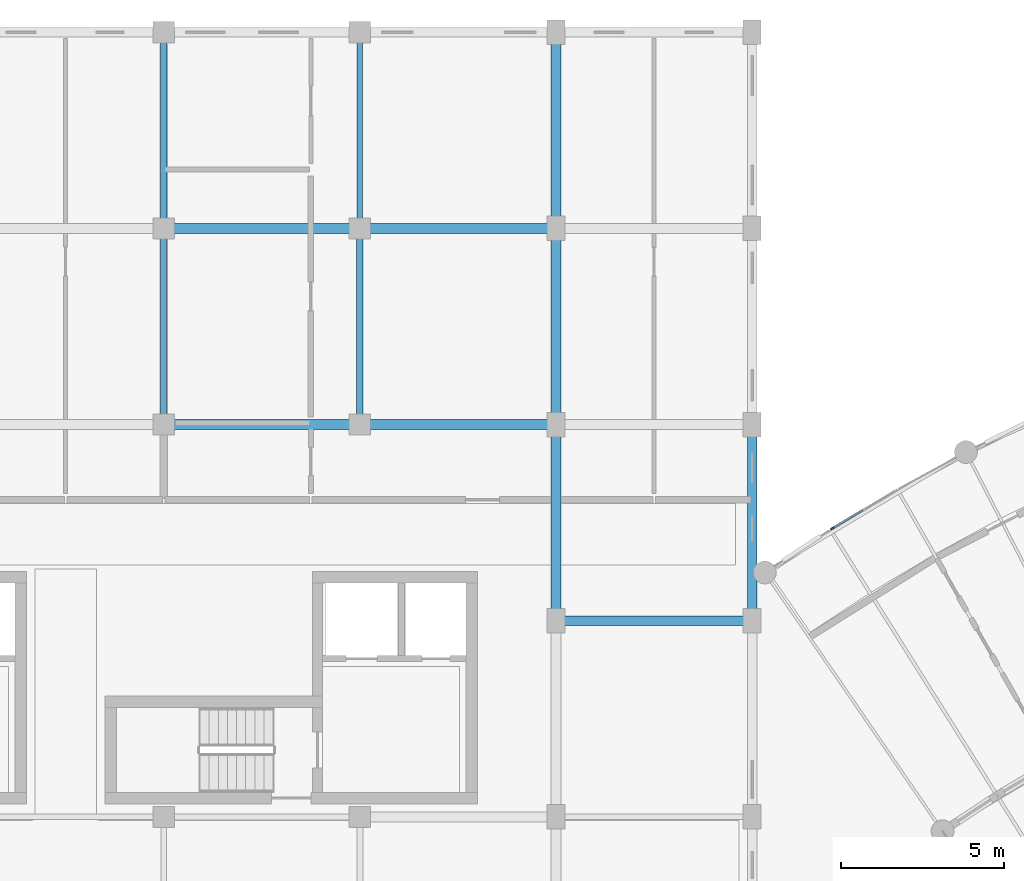
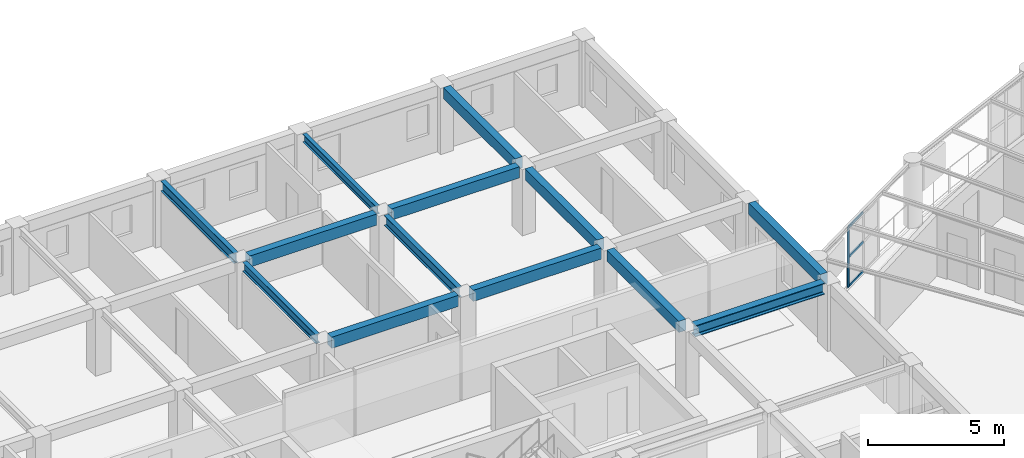
# One storey, part 30 of 100: 13 beams, 4 members, 1 element without a shape of its own.
"""IFC4 building model written with IfcOpenShell, lengths in metres."""

from ifc_helpers import new_model, si_unit, direction, frame, origin, origin_2d, place, context, subcontext, project, spatial, rectangle, i_section, extrude, material, layer, layer_set, material_profile, profile_set, type_object, element, aggregate, save


model = new_model("IFC4")

# Units and contexts
model_context = context("Model", 3, precision=1e-05, world=origin(), true_north=direction((0.0, 1.0)))
body_context = subcontext(model_context, "Body", "Model", "MODEL_VIEW")
ifc_project = project(units=[si_unit("LENGTHUNIT", "METRE"), si_unit("AREAUNIT", "SQUARE_METRE"), si_unit("VOLUMEUNIT", "CUBIC_METRE"), si_unit("PLANEANGLEUNIT", "RADIAN"), si_unit("MASSUNIT", "GRAM", prefix="KILO"), si_unit("POWERUNIT", "WATT"), si_unit("THERMODYNAMICTEMPERATUREUNIT", "KELVIN")], contexts=[model_context])

# Site, building, storey
site_placement = place(None, origin())
site = spatial("IfcSite", under=ifc_project, at=site_placement, CompositionType="ELEMENT")
building_placement = place(site_placement, origin())
building = spatial("IfcBuilding", under=site, at=building_placement, Name="Ruvembo Vaulted Housing Court", CompositionType="ELEMENT")
storey_placement = place(building_placement, frame((0.0, 0.0, 10.89990234375)))
storey = spatial("IfcBuildingStorey", under=building, at=storey_placement, Name="L03", CompositionType="ELEMENT", Elevation=10.89990234375)

# Beams
ifc_material_1 = material(Name="Steel S355J2", Category="steel")
ifc_material_profile_1 = material_profile(ifc_material_1, i_section(OverallWidth=0.300048828125, OverallDepth=0.5, WebThickness=0.014404296875, FlangeThickness=0.028076171875, FilletRadius=0.027099609375, at=origin_2d()), Name="HEB 320")
ifc_profile_set_1 = profile_set([ifc_material_profile_1], Name="Steel S355J2")
beam_type_1 = type_object("IfcBeamType", Name="BM-ST-HEB320", PredefinedType="BEAM", material=ifc_profile_set_1)
beam_1_placement = place(storey_placement, frame((78.260009765625, 96.0, 2.676025390625), z_axis=(1.0, 0.0, 0.0), x_axis=(0.0, 1.0, 0.0)))
element("IfcBeam", 1, at=beam_1_placement, inside=storey, type_object=beam_type_1, Name="L03 Grid Beam X #1820", PredefinedType="BEAM", context=body_context, shape_type="SweptSolid", body=[
    extrude(i_section(OverallWidth=0.300048828125, OverallDepth=0.5, WebThickness=0.014404296875, FlangeThickness=0.028076171875, FilletRadius=0.027099609375, at=origin_2d()), origin(), (0.0, 0.0, 1.0), 5.47998046875),
])
ifc_material_profile_2 = material_profile(ifc_material_1, i_section(OverallWidth=0.169921875, OverallDepth=0.360107421875, WebThickness=0.008056640625, FlangeThickness=0.0126953125, FilletRadius=0.01806640625, at=origin_2d()), Name="IPE 360")
ifc_profile_set_2 = profile_set([ifc_material_profile_2], Name="Steel S355J2")
beam_type_2 = type_object("IfcBeamType", Name="BM-ST-IPE360", PredefinedType="BEAM", material=ifc_profile_set_2)
beam_2_placement = place(storey_placement, frame((72.0, 108.31005859375, 2.74609375), z_axis=(0.0, 1.0, 0.0), x_axis=(-1.0, 0.0, 0.0)))
element("IfcBeam", 2, at=beam_2_placement, inside=storey, type_object=beam_type_2, Name="L03 Grid Beam Y #1914", PredefinedType="BEAM", context=body_context, shape_type="SweptSolid", body=[
    extrude(i_section(OverallWidth=0.169921875, OverallDepth=0.360107421875, WebThickness=0.008056640625, FlangeThickness=0.0126953125, FilletRadius=0.01806640625, at=origin_2d()), origin(), (0.0, 0.0, 1.0), 5.3798828125),
])
ifc_material_profile_3 = material_profile(ifc_material_1, i_section(OverallWidth=0.179931640625, OverallDepth=0.39990234375, WebThickness=0.008544921875, FlangeThickness=0.013427734375, FilletRadius=0.02099609375, at=origin_2d()), Name="IPE 400")
ifc_profile_set_3 = profile_set([ifc_material_profile_3], Name="Steel S355J2")
beam_type_3 = type_object("IfcBeamType", Name="BM-ST-IPE400", PredefinedType="BEAM", material=ifc_profile_set_3)
beam_3_placement = place(storey_placement, frame((66.0, 102.31005859375, 2.72607421875), z_axis=(0.0, 1.0, 0.0), x_axis=(-1.0, 0.0, 0.0)))
element("IfcBeam", 3, at=beam_3_placement, inside=storey, type_object=beam_type_3, Name="L03 Grid Beam Y #1909", PredefinedType="BEAM", context=body_context, shape_type="SweptSolid", body=[
    extrude(i_section(OverallWidth=0.179931640625, OverallDepth=0.39990234375, WebThickness=0.008544921875, FlangeThickness=0.013427734375, FilletRadius=0.02099609375, at=origin_2d()), origin(), (0.0, 0.0, 1.0), 5.3798828125),
])
ifc_material_profile_4 = material_profile(ifc_material_1, i_section(OverallWidth=0.18994140625, OverallDepth=0.449951171875, WebThickness=0.009521484375, FlangeThickness=0.0146484375, FilletRadius=0.02099609375, at=origin_2d()), Name="IPE 450")
ifc_profile_set_4 = profile_set([ifc_material_profile_4], Name="Steel S355J2")
beam_type_4 = type_object("IfcBeamType", Name="BM-ST-IPE450", PredefinedType="BEAM", material=ifc_profile_set_4)
for number, where, z_axis, x_axis, name in (
    (4, (66.0, 108.31005859375, 2.701171875), (0.0, 1.0, 0.0), (-1.0, 0.0, 0.0), "L03 Grid Beam Y #1910"),
    (5, (72.0, 102.31005859375, 2.701171875), (0.0, 1.0, 0.0), (-1.0, 0.0, 0.0), "L03 Grid Beam Y #1913"),
):
    element("IfcBeam", number, at=place(storey_placement, frame(where, z_axis=z_axis, x_axis=x_axis)), inside=storey, type_object=beam_type_4, Name=name, PredefinedType="BEAM", context=body_context, shape_type="SweptSolid", body=[
        extrude(i_section(OverallWidth=0.18994140625, OverallDepth=0.449951171875, WebThickness=0.009521484375, FlangeThickness=0.0146484375, FilletRadius=0.02099609375, at=origin_2d()), origin(), (0.0, 0.0, 1.0), 5.3798828125),
    ])

# Curtain wall, members
ifc_material_2 = material(Name="Anodised Aluminium and Solar-Control Glass", Category="aluminium")
ifc_layer = layer(ifc_material_2, 0.1201171875, Name="Anodised Aluminium and Solar-Control Glass")
ifc_layer_set = layer_set([ifc_layer], Name="Anodised Aluminium and Solar-Control Glass")
curtain_wall_type = type_object("IfcCurtainWallType", Name="CW-SCOOP-GAL", PredefinedType="NOTDEFINED", material=ifc_layer_set)
curtain_wall_placement = place(storey_placement, origin())
curtain_wall = element("IfcCurtainWall", 6, at=curtain_wall_placement, inside=storey, type_object=curtain_wall_type, Name="L03 Curtain Wall CW-L03-0071", PredefinedType="NOTDEFINED")
ifc_material_3 = material(Name="Anodised Aluminium 6063-T6", Category="aluminium")
ifc_material_profile_5 = material_profile(ifc_material_3, rectangle(XDim=0.054931640625, YDim=0.1201171875, at=origin_2d()), Name="ALU 55x120")
ifc_profile_set_5 = profile_set([ifc_material_profile_5], Name="Anodised Aluminium 6063-T6")
member_type_1 = type_object("IfcMemberType", Name="CW-MUL-55x120", PredefinedType="MULLION", material=ifc_profile_set_5)
member_1_placement = place(storey_placement, frame((86.450927734375, 98.829833984375, 0.0), z_axis=(0.0, 0.0, 1.0), x_axis=(-0.513827980288, 0.85789323734, 0.0)))
member_1 = element("IfcMember", 7, at=member_1_placement, type_object=member_type_1, Name="CW6 mullion 1", PredefinedType="MULLION", context=body_context, shape_type="SweptSolid", body=[
    extrude(rectangle(XDim=0.054931640625, YDim=0.1201171875, at=origin_2d()), origin(), (0.0, 0.0, 1.0), 2.697998046875),
])
ifc_material_profile_6 = material_profile(ifc_material_3, rectangle(XDim=0.06005859375, YDim=0.10009765625, at=origin_2d()), Name="ALU 60x100")
ifc_profile_set_6 = profile_set([ifc_material_profile_6], Name="Anodised Aluminium 6063-T6")
member_type_2 = type_object("IfcMemberType", Name="CW-TRN-60x100", PredefinedType="USERDEFINED", material=ifc_profile_set_6)
member_2_placement = place(storey_placement, frame((86.474609375, 98.84375, 0.030029296875), z_axis=(0.85779674372, 0.513989052863, 0.0), x_axis=(-0.513989052863, 0.85779674372, 0.0)))
member_2 = element("IfcMember", 8, at=member_2_placement, type_object=member_type_2, Name="CW6 transom 1.1", ObjectType="TRANSOM", PredefinedType="USERDEFINED", context=body_context, shape_type="SweptSolid", body=[
    extrude(rectangle(XDim=0.06005859375, YDim=0.10009765625, at=origin_2d()), origin(), (0.0, 0.0, 1.0), 1.06298828125),
])
member_3_placement = place(storey_placement, frame((86.474609375, 98.84375, 1.34912109375), z_axis=(0.85779674372, 0.513989052863, 0.0), x_axis=(-0.513989052863, 0.85779674372, 0.0)))
member_3 = element("IfcMember", 9, at=member_3_placement, type_object=member_type_2, Name="CW6 transom 1.2", ObjectType="TRANSOM", PredefinedType="USERDEFINED", context=body_context, shape_type="SweptSolid", body=[
    extrude(rectangle(XDim=0.06005859375, YDim=0.10009765625, at=origin_2d()), origin(), (0.0, 0.0, 1.0), 1.06298828125),
])
member_4_placement = place(storey_placement, frame((86.474609375, 98.84375, 2.668212890625), z_axis=(0.85779674372, 0.513989052863, 0.0), x_axis=(-0.513989052863, 0.85779674372, 0.0)))
member_4 = element("IfcMember", 10, at=member_4_placement, type_object=member_type_2, Name="CW6 transom 1.3", ObjectType="TRANSOM", PredefinedType="USERDEFINED", context=body_context, shape_type="SweptSolid", body=[
    extrude(rectangle(XDim=0.06005859375, YDim=0.10009765625, at=origin_2d()), origin(), (0.0, 0.0, 1.0), 1.06298828125),
])
aggregate(curtain_wall, [member_1, member_2, member_3, member_4])

# Beams
ifc_material_4 = material(Name="Concrete C35/45", Category="concrete")
ifc_material_profile_7 = material_profile(ifc_material_4, rectangle(XDim=0.300048828125, YDim=0.5, at=origin_2d()), Name="RC 300x500")
ifc_profile_set_7 = profile_set([ifc_material_profile_7], Name="Concrete C35/45")
beam_type_5 = type_object("IfcBeamType", Name="SP-RC-300x500", PredefinedType="SPANDREL", material=ifc_profile_set_7)
beam_4_placement = place(storey_placement, frame((66.31005859375, 102.0, 2.710205078125), z_axis=(1.0, 0.0, 0.0), x_axis=(0.0, 1.0, 0.0)))
element("IfcBeam", 11, at=beam_4_placement, inside=storey, type_object=beam_type_5, Name="L03 Grid Beam X #1830", PredefinedType="SPANDREL", context=body_context, shape_type="SweptSolid", body=[
    extrude(rectangle(XDim=0.300048828125, YDim=0.5, at=origin_2d()), origin(), (0.0, 0.0, 1.0), 5.3798828125),
])
beam_5_placement = place(storey_placement, frame((72.31005859375, 102.0, 2.710205078125), z_axis=(1.0, 0.0, 0.0), x_axis=(0.0, 1.0, 0.0)))
element("IfcBeam", 12, at=beam_5_placement, inside=storey, type_object=beam_type_5, Name="L03 Grid Beam X #1831", PredefinedType="SPANDREL", context=body_context, shape_type="SweptSolid", body=[
    extrude(rectangle(XDim=0.300048828125, YDim=0.5, at=origin_2d()), origin(), (0.0, 0.0, 1.0), 5.429931640625),
])
beam_6_placement = place(storey_placement, frame((66.31005859375, 108.0, 2.710205078125), z_axis=(1.0, 0.0, 0.0), x_axis=(0.0, 1.0, 0.0)))
element("IfcBeam", 13, at=beam_6_placement, inside=storey, type_object=beam_type_5, Name="L03 Grid Beam X #1842", PredefinedType="SPANDREL", context=body_context, shape_type="SweptSolid", body=[
    extrude(rectangle(XDim=0.300048828125, YDim=0.5, at=origin_2d()), origin(), (0.0, 0.0, 1.0), 5.3798828125),
])
beam_7_placement = place(storey_placement, frame((72.31005859375, 108.0, 2.710205078125), z_axis=(1.0, 0.0, 0.0), x_axis=(0.0, 1.0, 0.0)))
element("IfcBeam", 14, at=beam_7_placement, inside=storey, type_object=beam_type_5, Name="L03 Grid Beam X #1843", PredefinedType="SPANDREL", context=body_context, shape_type="SweptSolid", body=[
    extrude(rectangle(XDim=0.300048828125, YDim=0.5, at=origin_2d()), origin(), (0.0, 0.0, 1.0), 5.429931640625),
])
for number, where, z_axis, x_axis, name in (
    (15, (78.0, 96.360107421875, 2.710205078125), (0.0, 1.0, 0.0), (-1.0, 0.0, 0.0), "L03 Grid Beam Y #1918"),
    (16, (78.0, 102.360107421875, 2.710205078125), (0.0, 1.0, 0.0), (-1.0, 0.0, 0.0), "L03 Grid Beam Y #1919"),
    (17, (78.0, 108.360107421875, 2.710205078125), (0.0, 1.0, 0.0), (-1.0, 0.0, 0.0), "L03 Grid Beam Y #1920"),
    (18, (84.0, 96.360107421875, 2.710205078125), (0.0, 1.0, 0.0), (-1.0, 0.0, 0.0), "L03 Grid Beam Y #1924"),
):
    element("IfcBeam", number, at=place(storey_placement, frame(where, z_axis=z_axis, x_axis=x_axis)), inside=storey, type_object=beam_type_5, Name=name, PredefinedType="SPANDREL", context=body_context, shape_type="SweptSolid", body=[
        extrude(rectangle(XDim=0.300048828125, YDim=0.5, at=origin_2d()), origin(), (0.0, 0.0, 1.0), 5.27978515625),
    ])

save(model, "model.ifc")
